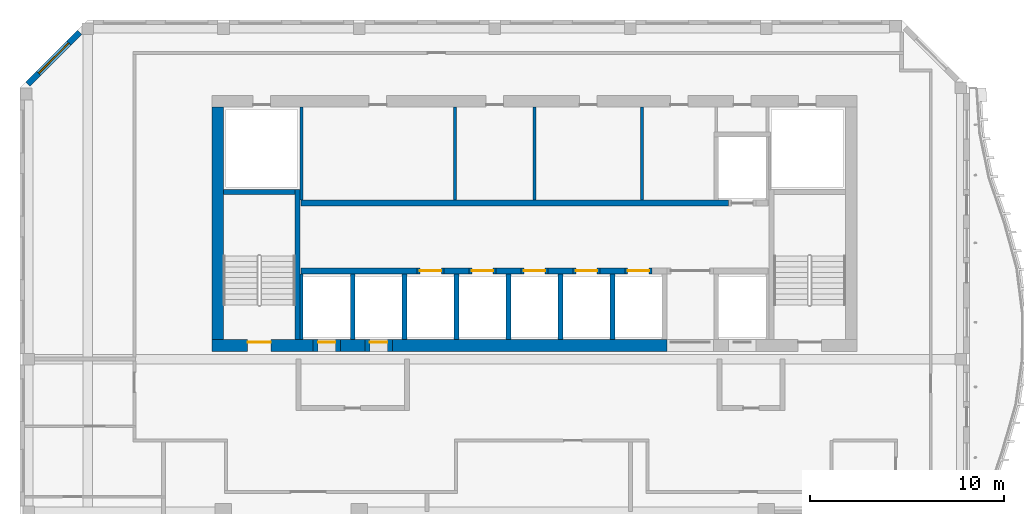
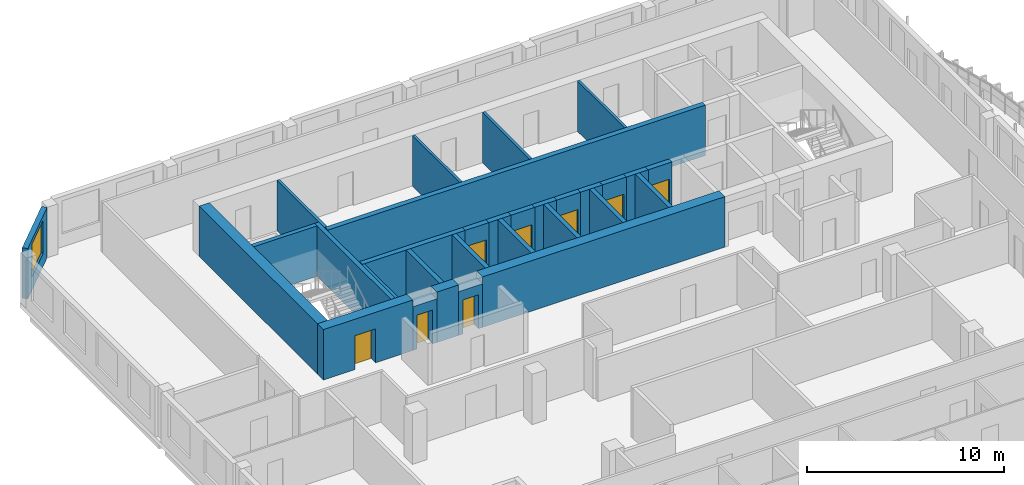
# One storey, part 6 of 17: 31 walls, 8 doors, 1 window, 9 openings.
"""IFC4 building model written with IfcOpenShell, lengths in metres."""

import ifcopenshell
import ifcopenshell.guid

model = None  # the IFC model being written
_history = None  # IfcOwnerHistory: only IFC2X3 demands one
_inside = {}  # id of a spatial element -> (the spatial element, [elements in it])
_under = {}  # id of a project, library or spatial element -> (it, [spatial elements below it])
_declared = {}  # id of a project -> (the project, [libraries it declares])
_typed = {}  # id of a type object -> (the type object, [elements of that type])
_made_of = {}  # id of a material, layer set ... -> (it, [elements and type objects made of it])


def new_model(schema):
    """Start an empty IFC model of exactly this schema.

    Asked for "IFC4X3", IfcOpenShell would pick the latest addendum, in which some entities
    have other attributes; the version numbers below select the first issue.
    IFC2X3 requires an IfcOwnerHistory on every rooted entity: one is made here for all.
    """
    global model, _history
    if schema == "IFC4X3":
        model = ifcopenshell.file(schema_version=(4, 3, 0, 0))
    else:
        model = ifcopenshell.file(schema=schema)
    _inside.clear()
    _under.clear()
    _declared.clear()
    _typed.clear()
    _made_of.clear()
    _history = None
    if model.schema == "IFC2X3":
        org = make("IfcOrganization", Name="unknown")
        user = make(
            "IfcPersonAndOrganization",
            ThePerson=make("IfcPerson", FamilyName="unknown"),
            TheOrganization=org,
        )
        app = make(
            "IfcApplication",
            ApplicationDeveloper=org,
            Version="unknown",
            ApplicationFullName="unknown",
            ApplicationIdentifier="unknown",
        )
        _history = make(
            "IfcOwnerHistory",
            OwningUser=user,
            OwningApplication=app,
            ChangeAction="ADDED",
            CreationDate=0,
        )
    return model


def make(cls, **values):
    """One entity of the class cls with the attributes given. An attribute that is None is left unset."""
    return model.create_entity(
        cls, **{name: value for name, value in values.items() if value is not None}
    )


def rooted(cls, **values):
    """An entity with a GlobalId (a new one), such as an element, a storey or a relation."""
    return make(cls, GlobalId=ifcopenshell.guid.new(), OwnerHistory=_history, **values)


def si_unit(unit_type, name, prefix=None):
    """IfcSIUnit, for example si_unit("LENGTHUNIT", "METRE", prefix="MILLI")."""
    return make("IfcSIUnit", UnitType=unit_type, Prefix=prefix, Name=name)


def assignment(units):
    """IfcUnitAssignment: the units of a project."""
    return None if units is None else make("IfcUnitAssignment", Units=units)


def point(xyz):
    """IfcCartesianPoint."""
    return None if xyz is None else make("IfcCartesianPoint", Coordinates=xyz)


def direction(xyz):
    """IfcDirection."""
    return None if xyz is None else make("IfcDirection", DirectionRatios=xyz)


def frame(location, z_axis=None, x_axis=None):
    """IfcAxis2Placement3D, a coordinate frame: its origin and axes. An axis left out is left unset."""
    return make(
        "IfcAxis2Placement3D",
        Location=point(location),
        Axis=direction(z_axis),
        RefDirection=direction(x_axis),
    )


def frame_2d(location, x_axis=None):
    """IfcAxis2Placement2D, a coordinate frame in the plane: its origin and x axis."""
    return make(
        "IfcAxis2Placement2D", Location=point(location), RefDirection=direction(x_axis)
    )


def origin():
    """The frame at (0, 0, 0) with its axes left unset."""
    return frame((0.0, 0.0, 0.0))


def place(relative_to, where):
    """IfcLocalPlacement: puts the frame where relative to a parent placement (None: the world)."""
    return make(
        "IfcLocalPlacement", PlacementRelTo=relative_to, RelativePlacement=where
    )


def context(
    kind, dimensions, precision=None, world=None, true_north=None, identifier=None
):
    """IfcGeometricRepresentationContext, for example the 3D "Model" context."""
    return make(
        "IfcGeometricRepresentationContext",
        ContextIdentifier=identifier,
        ContextType=kind,
        CoordinateSpaceDimension=dimensions,
        Precision=precision,
        WorldCoordinateSystem=world,
        TrueNorth=true_north,
    )


def subcontext(parent, identifier, kind, view, scale=None):
    """IfcGeometricRepresentationSubContext, for example "Body" below "Model"."""
    return make(
        "IfcGeometricRepresentationSubContext",
        ContextIdentifier=identifier,
        ContextType=kind,
        ParentContext=parent,
        TargetScale=scale,
        TargetView=view,
    )


def project(units=None, contexts=None):
    """IfcProject with its units and contexts."""
    return rooted(
        "IfcProject",
        Name="project",
        RepresentationContexts=contexts,
        UnitsInContext=assignment(units),
    )


def spatial(cls, under=None, at=None, **own):
    """A site, building, storey or space (cls), placed at a placement, below another one or the project."""
    s = rooted(cls, ObjectPlacement=at, **own)
    if under is not None:
        _under.setdefault(under.id(), (under, []))[1].append(s)
    return s


def profile(cls, at=None, kind="AREA", **sizes):
    """A parametric profile (cls). Its sizes go by their IFC names, for example OverallWidth=200.0."""
    return make(cls, ProfileType=kind, Position=at, **sizes)


def rectangle(**sizes):
    """IfcRectangleProfileDef."""
    return profile("IfcRectangleProfileDef", **sizes)


def extrude(swept, where, along, depth):
    """IfcExtrudedAreaSolid: the profile swept, set in the frame where, extruded along a direction by depth."""
    return make(
        "IfcExtrudedAreaSolid",
        SweptArea=swept,
        Position=where,
        ExtrudedDirection=direction(along),
        Depth=depth,
    )


def shape(context_of_items, identifier, shape_type, items):
    """IfcShapeRepresentation: the items that make up one representation, for example the "Body"."""
    return make(
        "IfcShapeRepresentation",
        ContextOfItems=context_of_items,
        RepresentationIdentifier=identifier,
        RepresentationType=shape_type,
        Items=items,
    )


def source(mapping_origin, context_of_items, identifier, shape_type, items):
    """IfcRepresentationMap: a shape defined once, which mapped items show again and again."""
    return make(
        "IfcRepresentationMap",
        MappingOrigin=mapping_origin,
        MappedRepresentation=shape(context_of_items, identifier, shape_type, items),
    )


def transform(
    local_origin,
    x_axis=None,
    y_axis=None,
    z_axis=None,
    scale=None,
    scale2=None,
    scale3=None,
    uniform=True,
):
    """IfcCartesianTransformationOperator3D, or its non-uniform kind. x_axis, y_axis, z_axis: its Axis1, 2, 3."""
    if uniform:
        return make(
            "IfcCartesianTransformationOperator3D",
            Axis1=direction(x_axis),
            Axis2=direction(y_axis),
            LocalOrigin=point(local_origin),
            Scale=scale,
            Axis3=direction(z_axis),
        )
    return make(
        "IfcCartesianTransformationOperator3DnonUniform",
        Axis1=direction(x_axis),
        Axis2=direction(y_axis),
        LocalOrigin=point(local_origin),
        Scale=scale,
        Axis3=direction(z_axis),
        Scale2=scale2,
        Scale3=scale3,
    )


def mapped(mapping_source, mapping_target):
    """IfcMappedItem: shows the shape of a source again, moved by a transform."""
    return make(
        "IfcMappedItem", MappingSource=mapping_source, MappingTarget=mapping_target
    )


def material(Name=None, Category=None):
    """IfcMaterial."""
    return make("IfcMaterial", Name=Name, Category=Category)


def layer(
    of_material, thickness, ventilated=None, Name=None, Category=None, Priority=None
):
    """IfcMaterialLayer: one layer of a wall or slab, of a material (None: an air gap)."""
    return make(
        "IfcMaterialLayer",
        Material=of_material,
        LayerThickness=thickness,
        IsVentilated=ventilated,
        Name=Name,
        Category=Category,
        Priority=Priority,
    )


def layer_set(layers, Name=None):
    """IfcMaterialLayerSet."""
    return make("IfcMaterialLayerSet", MaterialLayers=layers, LayerSetName=Name)


def made_of(thing, what):
    """Note that an element or type object is made of a material, layer set ...; save() writes the relation."""
    if what is not None:
        _made_of.setdefault(what.id(), (what, []))[1].append(thing)
    return thing


def type_object(cls, material=None, **own):
    """A type object (cls), such as IfcWallType, which elements share."""
    return made_of(rooted(cls, **own), material)


def element(
    cls,
    number,
    at=None,
    inside=None,
    cuts=None,
    type_object=None,
    material=None,
    context=None,
    identifier="Body",
    shape_type=None,
    held_by="IfcProductDefinitionShape",
    body=None,
    shapes=None,
    **own,
):
    """One element of the class cls, such as IfcWall. Its Tag is "e" and its number.

    at: its placement. inside: the storey or other place that contains it. cuts: it is an
    opening in that element (IfcRelVoidsElement). A single representation is given by context,
    identifier, shape_type and body (its items); several are given by shapes. held_by: the class
    of the entity that holds the representations. save() writes the other relations.
    """
    e = rooted(cls, Tag="e%d" % number, ObjectPlacement=at, **own)
    if body is not None:
        shapes = [shape(context, identifier, shape_type, body)]
    if shapes is not None:
        e.Representation = make(held_by, Representations=shapes)
    if inside is not None:
        _inside.setdefault(inside.id(), (inside, []))[1].append(e)
    if cuts is not None:
        rooted(
            "IfcRelVoidsElement", RelatingBuildingElement=cuts, RelatedOpeningElement=e
        )
    if type_object is not None:
        _typed.setdefault(type_object.id(), (type_object, []))[1].append(e)
    return made_of(e, material)


def fill(opening, filler):
    """IfcRelFillsElement: the door or window that sits in an opening."""
    return rooted(
        "IfcRelFillsElement",
        RelatingOpeningElement=opening,
        RelatedBuildingElement=filler,
    )


def aggregate(whole, parts):
    """IfcRelAggregates: a whole, such as a stair, and the parts it consists of."""
    return rooted("IfcRelAggregates", RelatingObject=whole, RelatedObjects=parts)


def save(model, path):
    """Write the relations noted so far, then the file.

    IfcRelAggregates (storeys below a building ...), IfcRelContainedInSpatialStructure (elements
    in a storey), IfcRelDefinesByType, IfcRelAssociatesMaterial and IfcRelDeclares: one each for
    every whole, place, type object, material and project.
    """
    for whole, parts in _under.values():
        aggregate(whole, parts)
    for where, things in _inside.values():
        rooted(
            "IfcRelContainedInSpatialStructure",
            RelatedElements=things,
            RelatingStructure=where,
        )
    for kind, things in _typed.values():
        rooted("IfcRelDefinesByType", RelatedObjects=things, RelatingType=kind)
    for what, things in _made_of.values():
        rooted("IfcRelAssociatesMaterial", RelatedObjects=things, RelatingMaterial=what)
    for by, libraries in _declared.values():
        rooted("IfcRelDeclares", RelatingContext=by, RelatedDefinitions=libraries)
    model.write(path)


model = new_model("IFC4")

# Units and contexts
model_context = context("Model", 3, precision=1e-05, world=origin(), true_north=direction((0.0, 1.0)))
body_context = subcontext(model_context, "Body", "Model", "MODEL_VIEW")
ifc_project = project(units=[si_unit("LENGTHUNIT", "METRE"), si_unit("AREAUNIT", "SQUARE_METRE"), si_unit("VOLUMEUNIT", "CUBIC_METRE"), si_unit("PLANEANGLEUNIT", "RADIAN"), si_unit("MASSUNIT", "GRAM", prefix="KILO")], contexts=[model_context])

# Site, building, storey
site_placement = place(None, origin())
site = spatial("IfcSite", under=ifc_project, at=site_placement, CompositionType="ELEMENT")
building_placement = place(site_placement, origin())
building = spatial("IfcBuilding", under=site, at=building_placement, Name="Kilnfold Tower and Market Hall", CompositionType="ELEMENT")
storey_placement = place(building_placement, frame((0.0, 0.0, 301.800048828125)))
storey = spatial("IfcBuildingStorey", under=building, at=storey_placement, Name="L75", CompositionType="ELEMENT", Elevation=301.800048828125)

# Walls
ifc_material_1 = material(Name="Concrete C50", Category="concrete")
ifc_layer_1 = layer(ifc_material_1, 0.25)
ifc_layer_set_1 = layer_set([ifc_layer_1], Name="Concrete C50")
wall_type_1 = type_object("IfcWallType", Name="CORE WALL 250 C50", PredefinedType="SHEAR", material=ifc_layer_set_1)
shared_shape_1 = source(origin(), body_context, "Body", "SweptSolid", [
    extrude(rectangle(XDim=7.75, YDim=0.25, at=frame_2d((3.875, 0.0))), origin(), (0.0, 0.0, 1.0), 3.119873046875),
])
wall_1_placement = place(storey_placement, frame((-11.175048828125, 9.0, 0.0), z_axis=(0.0, 0.0, 1.0), x_axis=(0.0, 1.0, 0.0)))
element("IfcWall", 1, at=wall_1_placement, inside=storey, type_object=wall_type_1, Name="Stair enclosure ST1", PredefinedType="SHEAR", context=body_context, shape_type="MappedRepresentation", body=[
    mapped(shared_shape_1, transform((0.0, 0.0, 0.0))),
])
shared_shape_2 = source(origin(), body_context, "Body", "SweptSolid", [
    extrude(rectangle(XDim=3.699951171875, YDim=0.25, at=frame_2d((1.85009765625, 0.0))), origin(), (0.0, 0.0, 1.0), 3.119873046875),
])
wall_2_placement = place(storey_placement, frame((-15.0, 16.625, 0.0), z_axis=(0.0, 0.0, 1.0), x_axis=(1.0, 0.0, 0.0)))
element("IfcWall", 2, at=wall_2_placement, inside=storey, type_object=wall_type_1, Name="Stair enclosure ST1", PredefinedType="SHEAR", context=body_context, shape_type="MappedRepresentation", body=[
    mapped(shared_shape_2, transform((0.0, 0.0, 0.0))),
])
ifc_material_2 = material(Name="Concrete C50", Category="concrete")
ifc_layer_2 = layer(ifc_material_2, 0.300048828125)
ifc_layer_set_2 = layer_set([ifc_layer_2], Name="Concrete C50")
wall_type_2 = type_object("IfcWallType", Name="CORE WALL 300 C50", PredefinedType="SHEAR", material=ifc_layer_set_2)
shared_shape_3 = source(origin(), body_context, "Body", "SweptSolid", [
    extrude(rectangle(XDim=6.0, YDim=0.300048828125, at=frame_2d((3.0, 0.0))), origin(), (0.0, 0.0, 1.0), 3.119873046875),
])
wall_3_placement = place(storey_placement, frame((-11.010009765625, 12.550048828125, 0.0), z_axis=(0.0, 0.0, 1.0), x_axis=(1.0, 0.0, 0.0)))
element("IfcWall", 3, at=wall_3_placement, inside=storey, type_object=wall_type_2, Name="Core spine wall", PredefinedType="SHEAR", context=body_context, shape_type="MappedRepresentation", body=[
    mapped(shared_shape_3, transform((0.0, 0.0, 0.0))),
])
shared_shape_4 = source(origin(), body_context, "Body", "SweptSolid", [
    extrude(rectangle(XDim=1.280029296875, YDim=0.300048828125, at=frame_2d((0.64013671875, 0.0))), origin(), (0.0, 0.0, 1.0), 3.119873046875),
])
for number, where, z_axis, x_axis, name in (
    (4, (-3.610107421875, 12.550048828125, 0.0), (0.0, 0.0, 1.0), (1.0, 0.0, 0.0), "Core spine wall"),
    (5, (-0.929931640625, 12.550048828125, 0.0), (0.0, 0.0, 1.0), (1.0, 0.0, 0.0), "Core spine wall"),
    (6, (1.75, 12.550048828125, 0.0), (0.0, 0.0, 1.0), (1.0, 0.0, 0.0), "Core spine wall"),
    (7, (4.429931640625, 12.550048828125, 0.0), (0.0, 0.0, 1.0), (1.0, 0.0, 0.0), "Core spine wall"),
):
    element("IfcWall", number, at=place(storey_placement, frame(where, z_axis=z_axis, x_axis=x_axis)), inside=storey, type_object=wall_type_2, Name=name, PredefinedType="SHEAR", context=body_context, shape_type="MappedRepresentation", body=[
        mapped(shared_shape_4, transform((0.0, 0.0, 0.0))),
    ])
shared_shape_5 = source(origin(), body_context, "Body", "SweptSolid", [
    extrude(rectangle(XDim=22.080078125, YDim=0.300048828125, at=frame_2d((11.0400390625, 0.0))), origin(), (0.0, 0.0, 1.0), 3.119873046875),
])
wall_4_placement = place(storey_placement, frame((-11.010009765625, 16.050048828125, 0.0), z_axis=(0.0, 0.0, 1.0), x_axis=(1.0, 0.0, 0.0)))
element("IfcWall", 8, at=wall_4_placement, inside=storey, type_object=wall_type_2, Name="Core spine wall", PredefinedType="SHEAR", context=body_context, shape_type="MappedRepresentation", body=[
    mapped(shared_shape_5, transform((0.0, 0.0, 0.0))),
])

# Wall, opening, door
ifc_material_3 = material(Name="Concrete C50", Category="concrete")
ifc_layer_3 = layer(ifc_material_3, 0.60009765625)
ifc_layer_set_3 = layer_set([ifc_layer_3], Name="Concrete C50")
wall_type_3 = type_object("IfcWallType", Name="CORE WALL 600 C50", PredefinedType="SHEAR", material=ifc_layer_set_3)
shared_shape_6 = source(origin(), body_context, "Body", "SweptSolid", [
    extrude(rectangle(XDim=5.22998046875, YDim=0.60009765625, at=frame_2d((2.614990234375, 0.0))), origin(), (0.0, 0.0, 1.0), 3.119873046875),
])
wall_5_placement = place(storey_placement, frame((-15.60009765625, 8.699951171875, 0.0), z_axis=(0.0, 0.0, 1.0), x_axis=(1.0, 0.0, 0.0)))
wall_5 = element("IfcWall", 9, at=wall_5_placement, inside=storey, type_object=wall_type_3, Name="Core outer wall south", PredefinedType="SHEAR", context=body_context, shape_type="MappedRepresentation", body=[
    mapped(shared_shape_6, transform((0.0, 0.0, 0.0))),
])
opening_1_placement = place(wall_5_placement, frame((1.85009765625, 0.0, 0.0)))
opening_1 = element("IfcOpeningElement", 10, at=opening_1_placement, cuts=wall_5, Name="Opening SD1", PredefinedType="OPENING", context=body_context, shape_type="SweptSolid", body=[
    extrude(rectangle(XDim=1.199951171875, YDim=2.10009765625, at=frame_2d((0.60009765625, 1.050048828125))), frame((0.0, 0.31005859375, 0.0), z_axis=(0.0, -1.0, 0.0), x_axis=(1.0, 0.0, 0.0)), (0.0, 0.0, 1.0), 0.6201171875),
])
ifc_material_4 = material(Name="Steel door set with fire-resisting leaf", Category="steel")
door_type_1 = type_object("IfcDoorType", Name="STAIR FLOOR DOOR 1200X2100", OperationType="NOTDEFINED", PredefinedType="DOOR", material=ifc_material_4)
door_1_placement = place(opening_1_placement, origin())
door_1 = element("IfcDoor", 11, at=door_1_placement, inside=storey, type_object=door_type_1, Name="Exit stair ST1 door", OperationType="DOUBLE_DOOR_SINGLE_SWING", OverallHeight=2.10009765625, OverallWidth=1.199951171875, PredefinedType="DOOR", context=body_context, shape_type="SweptSolid", body=[
    extrude(rectangle(XDim=1.199951171875, YDim=2.10009765625, at=frame_2d((0.60009765625, 1.050048828125))), frame((0.0, 0.205078125, 0.0), z_axis=(0.0, -1.0, 0.0), x_axis=(1.0, 0.0, 0.0)), (0.0, 0.0, 1.0), 0.050048828125),
])
fill(opening_1, door_1)

# Walls
shared_shape_7 = source(origin(), body_context, "Body", "SweptSolid", [
    extrude(rectangle(XDim=1.280029296875, YDim=0.60009765625, at=frame_2d((0.64013671875, 0.0))), origin(), (0.0, 0.0, 1.0), 3.119873046875),
])
wall_6_placement = place(storey_placement, frame((-8.969970703125, 8.699951171875, 0.0), z_axis=(0.0, 0.0, 1.0), x_axis=(1.0, 0.0, 0.0)))
element("IfcWall", 12, at=wall_6_placement, inside=storey, type_object=wall_type_3, Name="Core outer wall south", PredefinedType="SHEAR", context=body_context, shape_type="MappedRepresentation", body=[
    mapped(shared_shape_7, transform((0.0, 0.0, 0.0))),
])
shared_shape_8 = source(origin(), body_context, "Body", "SweptSolid", [
    extrude(rectangle(XDim=14.179931640625, YDim=0.60009765625, at=frame_2d((7.08984375, 0.0))), origin(), (0.0, 0.0, 1.0), 3.119873046875),
])
wall_7_placement = place(storey_placement, frame((-6.2900390625, 8.699951171875, 0.0), z_axis=(0.0, 0.0, 1.0), x_axis=(1.0, 0.0, 0.0)))
element("IfcWall", 13, at=wall_7_placement, inside=storey, type_object=wall_type_3, Name="Core outer wall south", PredefinedType="SHEAR", context=body_context, shape_type="MappedRepresentation", body=[
    mapped(shared_shape_8, transform((0.0, 0.0, 0.0))),
])
shared_shape_9 = source(origin(), body_context, "Body", "SweptSolid", [
    extrude(rectangle(XDim=12.0, YDim=0.60009765625, at=frame_2d((6.0, 0.0))), origin(), (0.0, 0.0, 1.0), 3.119873046875),
])
wall_8_placement = place(storey_placement, frame((-15.300048828125, 9.0, 0.0), z_axis=(0.0, 0.0, 1.0), x_axis=(0.0, 1.0, 0.0)))
element("IfcWall", 14, at=wall_8_placement, inside=storey, type_object=wall_type_3, Name="Core outer wall west", PredefinedType="SHEAR", context=body_context, shape_type="MappedRepresentation", body=[
    mapped(shared_shape_9, transform((0.0, 0.0, 0.0))),
])

# Wall, opening, window
ifc_material_5 = material(Name="Precast concrete C50/60", Category="concrete")
ifc_layer_4 = layer(ifc_material_5, 0.300048828125)
ifc_layer_set_4 = layer_set([ifc_layer_4], Name="Precast concrete C50/60")
wall_type_4 = type_object("IfcWallType", Name="PRECAST WALL 300", PredefinedType="SOLIDWALL", material=ifc_layer_set_4)
shared_shape_10 = source(origin(), body_context, "Body", "SweptSolid", [
    extrude(rectangle(XDim=3.783203125, YDim=0.300048828125, at=frame_2d((1.8916015625, 0.0))), origin(), (0.0, 0.0, 1.0), 3.119873046875),
])
wall_9_placement = place(storey_placement, frame((-22.4189453125, 24.868896484375, 0.0), z_axis=(0.0, 0.0, 1.0), x_axis=(-0.707106781187, -0.707106781187, 0.0)))
wall_9 = element("IfcWall", 15, at=wall_9_placement, inside=storey, type_object=wall_type_4, Name="External wall L75 NW", PredefinedType="SOLIDWALL", context=body_context, shape_type="MappedRepresentation", body=[
    mapped(shared_shape_10, transform((0.0, 0.0, 0.0))),
])
opening_2_placement = place(wall_9_placement, frame((0.79150390625, 0.0, 0.800048828125)))
opening_2 = element("IfcOpeningElement", 16, at=opening_2_placement, cuts=wall_9, Name="Opening W3", PredefinedType="OPENING", context=body_context, shape_type="SweptSolid", body=[
    extrude(rectangle(XDim=2.199951171875, YDim=2.050048828125, at=frame_2d((1.10009765625, 1.02490234375))), frame((0.0, 0.16015625, 0.0), z_axis=(0.0, -1.0, 0.0), x_axis=(1.0, 0.0, 0.0)), (0.0, 0.0, 1.0), 0.320068359375),
])
ifc_material_6 = material(Name="Aluminium frame and double glazing", Category="aluminium")
window_type = type_object("IfcWindowType", Name="WINDOW W3 2200X2050", PartitioningType="SINGLE_PANEL", PredefinedType="WINDOW", material=ifc_material_6)
window_placement = place(opening_2_placement, origin())
window = element("IfcWindow", 17, at=window_placement, inside=storey, type_object=window_type, Name="Window W3 L75 NW-1", OverallHeight=2.050048828125, OverallWidth=2.199951171875, PartitioningType="SINGLE_PANEL", PredefinedType="WINDOW", context=body_context, shape_type="SweptSolid", body=[
    extrude(rectangle(XDim=2.199951171875, YDim=2.050048828125, at=frame_2d((1.10009765625, 1.02490234375))), frame((0.0, 0.030029296875, 0.0), z_axis=(0.0, -1.0, 0.0), x_axis=(1.0, 0.0, 0.0)), (0.0, 0.0, 1.0), 0.06005859375),
])
fill(opening_2, window)

# Wall, opening, door
ifc_material_7 = material(Name="Gypsum shaft wall system")
ifc_layer_5 = layer(ifc_material_7, 0.300048828125)
ifc_layer_set_5 = layer_set([ifc_layer_5], Name="Gypsum shaft wall system")
wall_type_5 = type_object("IfcWallType", Name="SHAFT WALL 300", PredefinedType="PARTITIONING", material=ifc_layer_set_5)
shared_shape_11 = source(origin(), body_context, "Body", "SweptSolid", [
    extrude(rectangle(XDim=1.39990234375, YDim=0.300048828125, at=frame_2d((0.699951171875, 0.0))), origin(), (0.0, 0.0, 1.0), 3.119873046875),
])
wall_10_placement = place(storey_placement, frame((-5.010009765625, 12.550048828125, 0.0), z_axis=(0.0, 0.0, 1.0), x_axis=(1.0, 0.0, 0.0)))
wall_10 = element("IfcWall", 18, at=wall_10_placement, inside=storey, type_object=wall_type_5, Name="Lift shaft front wall", PredefinedType="PARTITIONING", context=body_context, shape_type="MappedRepresentation", body=[
    mapped(shared_shape_11, transform((0.0, 0.0, 0.0))),
])
opening_3_placement = place(wall_10_placement, frame((0.14990234375, 0.0, 0.0)))
opening_3 = element("IfcOpeningElement", 19, at=opening_3_placement, cuts=wall_10, Name="Opening LD2", PredefinedType="OPENING", context=body_context, shape_type="SweptSolid", body=[
    extrude(rectangle(XDim=1.10009765625, YDim=2.10009765625, at=frame_2d((0.550048828125, 1.050048828125))), frame((0.0, 0.16015625, 0.0), z_axis=(0.0, -1.0, 0.0), x_axis=(1.0, 0.0, 0.0)), (0.0, 0.0, 1.0), 0.320068359375),
])
ifc_material_8 = material(Name="Steel door set with fire-resisting leaf", Category="steel")
door_type_2 = type_object("IfcDoorType", Name="LANDING DOOR 1100X2100", OperationType="NOTDEFINED", PredefinedType="DOOR", material=ifc_material_8)
door_2_placement = place(opening_3_placement, origin())
door_2 = element("IfcDoor", 20, at=door_2_placement, inside=storey, type_object=door_type_2, Name="Landing door HR1", OperationType="DOUBLE_DOOR_SLIDING", OverallHeight=2.10009765625, OverallWidth=1.10009765625, PredefinedType="DOOR", context=body_context, shape_type="SweptSolid", body=[
    extrude(rectangle(XDim=1.10009765625, YDim=2.10009765625, at=frame_2d((0.550048828125, 1.050048828125))), frame((0.0, 0.02490234375, 0.0), z_axis=(0.0, -1.0, 0.0), x_axis=(1.0, 0.0, 0.0)), (0.0, 0.0, 1.0), 0.050048828125),
])
fill(opening_3, door_2)

wall_11_placement = place(storey_placement, frame((0.35009765625, 12.550048828125, 0.0), z_axis=(0.0, 0.0, 1.0), x_axis=(1.0, 0.0, 0.0)))
wall_11 = element("IfcWall", 21, at=wall_11_placement, inside=storey, type_object=wall_type_5, Name="Lift shaft front wall", PredefinedType="PARTITIONING", context=body_context, shape_type="MappedRepresentation", body=[
    mapped(shared_shape_11, transform((0.0, 0.0, 0.0))),
])
opening_4_placement = place(wall_11_placement, frame((0.14990234375, 0.0, 0.0)))
opening_4 = element("IfcOpeningElement", 22, at=opening_4_placement, cuts=wall_11, Name="Opening LD2", PredefinedType="OPENING", context=body_context, shape_type="SweptSolid", body=[
    extrude(rectangle(XDim=1.10009765625, YDim=2.10009765625, at=frame_2d((0.550048828125, 1.050048828125))), frame((0.0, 0.16015625, 0.0), z_axis=(0.0, -1.0, 0.0), x_axis=(1.0, 0.0, 0.0)), (0.0, 0.0, 1.0), 0.320068359375),
])
door_3_placement = place(opening_4_placement, origin())
door_3 = element("IfcDoor", 23, at=door_3_placement, inside=storey, type_object=door_type_2, Name="Landing door HR3", OperationType="DOUBLE_DOOR_SLIDING", OverallHeight=2.10009765625, OverallWidth=1.10009765625, PredefinedType="DOOR", context=body_context, shape_type="SweptSolid", body=[
    extrude(rectangle(XDim=1.10009765625, YDim=2.10009765625, at=frame_2d((0.550048828125, 1.050048828125))), frame((0.0, 0.02490234375, 0.0), z_axis=(0.0, -1.0, 0.0), x_axis=(1.0, 0.0, 0.0)), (0.0, 0.0, 1.0), 0.050048828125),
])
fill(opening_4, door_3)

wall_12_placement = place(storey_placement, frame((3.030029296875, 12.550048828125, 0.0), z_axis=(0.0, 0.0, 1.0), x_axis=(1.0, 0.0, 0.0)))
wall_12 = element("IfcWall", 24, at=wall_12_placement, inside=storey, type_object=wall_type_5, Name="Lift shaft front wall", PredefinedType="PARTITIONING", context=body_context, shape_type="MappedRepresentation", body=[
    mapped(shared_shape_11, transform((0.0, 0.0, 0.0))),
])
opening_5_placement = place(wall_12_placement, frame((0.14990234375, 0.0, 0.0)))
opening_5 = element("IfcOpeningElement", 25, at=opening_5_placement, cuts=wall_12, Name="Opening LD2", PredefinedType="OPENING", context=body_context, shape_type="SweptSolid", body=[
    extrude(rectangle(XDim=1.10009765625, YDim=2.10009765625, at=frame_2d((0.550048828125, 1.050048828125))), frame((0.0, 0.16015625, 0.0), z_axis=(0.0, -1.0, 0.0), x_axis=(1.0, 0.0, 0.0)), (0.0, 0.0, 1.0), 0.320068359375),
])
door_4_placement = place(opening_5_placement, origin())
door_4 = element("IfcDoor", 26, at=door_4_placement, inside=storey, type_object=door_type_2, Name="Landing door HR4", OperationType="DOUBLE_DOOR_SLIDING", OverallHeight=2.10009765625, OverallWidth=1.10009765625, PredefinedType="DOOR", context=body_context, shape_type="SweptSolid", body=[
    extrude(rectangle(XDim=1.10009765625, YDim=2.10009765625, at=frame_2d((0.550048828125, 1.050048828125))), frame((0.0, 0.02490234375, 0.0), z_axis=(0.0, -1.0, 0.0), x_axis=(1.0, 0.0, 0.0)), (0.0, 0.0, 1.0), 0.050048828125),
])
fill(opening_5, door_4)

shared_shape_12 = source(origin(), body_context, "Body", "SweptSolid", [
    extrude(rectangle(XDim=1.400146484375, YDim=0.300048828125, at=frame_2d((0.7001953125, 0.0))), origin(), (0.0, 0.0, 1.0), 3.119873046875),
])
wall_13_placement = place(storey_placement, frame((-2.330078125, 12.550048828125, 0.0), z_axis=(0.0, 0.0, 1.0), x_axis=(1.0, 0.0, 0.0)))
wall_13 = element("IfcWall", 27, at=wall_13_placement, inside=storey, type_object=wall_type_5, Name="Lift shaft front wall", PredefinedType="PARTITIONING", context=body_context, shape_type="MappedRepresentation", body=[
    mapped(shared_shape_12, transform((0.0, 0.0, 0.0))),
])
opening_6_placement = place(wall_13_placement, frame((0.14990234375, 0.0, 0.0)))
opening_6 = element("IfcOpeningElement", 28, at=opening_6_placement, cuts=wall_13, Name="Opening LD2", PredefinedType="OPENING", context=body_context, shape_type="SweptSolid", body=[
    extrude(rectangle(XDim=1.10009765625, YDim=2.10009765625, at=frame_2d((0.550048828125, 1.050048828125))), frame((0.0, 0.16015625, 0.0), z_axis=(0.0, -1.0, 0.0), x_axis=(1.0, 0.0, 0.0)), (0.0, 0.0, 1.0), 0.320068359375),
])
door_5_placement = place(opening_6_placement, origin())
door_5 = element("IfcDoor", 29, at=door_5_placement, inside=storey, type_object=door_type_2, Name="Landing door HR2", OperationType="DOUBLE_DOOR_SLIDING", OverallHeight=2.10009765625, OverallWidth=1.10009765625, PredefinedType="DOOR", context=body_context, shape_type="SweptSolid", body=[
    extrude(rectangle(XDim=1.10009765625, YDim=2.10009765625, at=frame_2d((0.550048828125, 1.050048828125))), frame((0.0, 0.02490234375, 0.0), z_axis=(0.0, -1.0, 0.0), x_axis=(1.0, 0.0, 0.0)), (0.0, 0.0, 1.0), 0.050048828125),
])
fill(opening_6, door_5)

wall_14_placement = place(storey_placement, frame((5.7099609375, 12.550048828125, 0.0), z_axis=(0.0, 0.0, 1.0), x_axis=(1.0, 0.0, 0.0)))
wall_14 = element("IfcWall", 30, at=wall_14_placement, inside=storey, type_object=wall_type_5, Name="Lift shaft front wall", PredefinedType="PARTITIONING", context=body_context, shape_type="MappedRepresentation", body=[
    mapped(shared_shape_12, transform((0.0, 0.0, 0.0))),
])
opening_7_placement = place(wall_14_placement, frame((0.14990234375, 0.0, 0.0)))
opening_7 = element("IfcOpeningElement", 31, at=opening_7_placement, cuts=wall_14, Name="Opening LD2", PredefinedType="OPENING", context=body_context, shape_type="SweptSolid", body=[
    extrude(rectangle(XDim=1.10009765625, YDim=2.10009765625, at=frame_2d((0.550048828125, 1.050048828125))), frame((0.0, 0.16015625, 0.0), z_axis=(0.0, -1.0, 0.0), x_axis=(1.0, 0.0, 0.0)), (0.0, 0.0, 1.0), 0.320068359375),
])
door_6_placement = place(opening_7_placement, origin())
door_6 = element("IfcDoor", 32, at=door_6_placement, inside=storey, type_object=door_type_2, Name="Landing door HR5", OperationType="DOUBLE_DOOR_SLIDING", OverallHeight=2.10009765625, OverallWidth=1.10009765625, PredefinedType="DOOR", context=body_context, shape_type="SweptSolid", body=[
    extrude(rectangle(XDim=1.10009765625, YDim=2.10009765625, at=frame_2d((0.550048828125, 1.050048828125))), frame((0.0, 0.02490234375, 0.0), z_axis=(0.0, -1.0, 0.0), x_axis=(1.0, 0.0, 0.0)), (0.0, 0.0, 1.0), 0.050048828125),
])
fill(opening_7, door_6)

# Walls
ifc_material_9 = material(Name="Gypsum shaft wall system")
ifc_layer_6 = layer(ifc_material_9, 0.1650390625)
ifc_layer_set_6 = layer_set([ifc_layer_6], Name="Gypsum shaft wall system")
wall_type_6 = type_object("IfcWallType", Name="SHAFT WALL 165", PredefinedType="PARTITIONING", material=ifc_layer_set_6)
shared_shape_13 = source(origin(), body_context, "Body", "SweptSolid", [
    extrude(rectangle(XDim=4.800048828125, YDim=0.1650390625, at=frame_2d((2.39990234375, 0.0))), origin(), (0.0, 0.0, 1.0), 3.119873046875),
])
wall_15_placement = place(storey_placement, frame((-10.967529296875, 16.199951171875, 0.0), z_axis=(0.0, 0.0, 1.0), x_axis=(0.0, 1.0, 0.0)))
element("IfcWall", 33, at=wall_15_placement, inside=storey, type_object=wall_type_6, Name="Lift shaft wall", PredefinedType="PARTITIONING", context=body_context, shape_type="MappedRepresentation", body=[
    mapped(shared_shape_13, transform((0.0, 0.0, 0.0))),
])
ifc_material_10 = material(Name="Gypsum shaft wall system")
ifc_layer_7 = layer(ifc_material_10, 0.25)
ifc_layer_set_7 = layer_set([ifc_layer_7], Name="Gypsum shaft wall system")
wall_type_7 = type_object("IfcWallType", Name="SHAFT WALL 250", PredefinedType="PARTITIONING", material=ifc_layer_set_7)
shared_shape_14 = source(origin(), body_context, "Body", "SweptSolid", [
    extrude(rectangle(XDim=3.39990234375, YDim=0.25, at=frame_2d((1.699951171875, 0.0))), origin(), (0.0, 0.0, 1.0), 3.119873046875),
])
for number, where, z_axis, x_axis, name in (
    (34, (2.389892578125, 9.0, 0.0), (0.0, 0.0, 1.0), (0.0, 1.0, 0.0), "Lift shaft wall"),
    (35, (5.070068359375, 9.0, 0.0), (0.0, 0.0, 1.0), (0.0, 1.0, 0.0), "Lift shaft wall"),
    (36, (-0.2900390625, 9.0, 0.0), (0.0, 0.0, 1.0), (0.0, 1.0, 0.0), "Lift shaft wall"),
    (37, (-2.969970703125, 9.0, 0.0), (0.0, 0.0, 1.0), (0.0, 1.0, 0.0), "Lift shaft wall"),
    (38, (-5.64990234375, 9.0, 0.0), (0.0, 0.0, 1.0), (0.0, 1.0, 0.0), "Lift shaft wall"),
    (39, (-8.330078125, 9.0, 0.0), (0.0, 0.0, 1.0), (0.0, 1.0, 0.0), "Lift shaft wall"),
):
    element("IfcWall", number, at=place(storey_placement, frame(where, z_axis=z_axis, x_axis=x_axis)), inside=storey, type_object=wall_type_7, Name=name, PredefinedType="PARTITIONING", context=body_context, shape_type="MappedRepresentation", body=[
        mapped(shared_shape_14, transform((0.0, 0.0, 0.0))),
    ])
shared_shape_15 = source(origin(), body_context, "Body", "SweptSolid", [
    extrude(rectangle(XDim=3.39990234375, YDim=0.1650390625, at=frame_2d((1.699951171875, 0.0))), origin(), (0.0, 0.0, 1.0), 3.119873046875),
])
wall_16_placement = place(storey_placement, frame((-10.967529296875, 9.0, 0.0), z_axis=(0.0, 0.0, 1.0), x_axis=(0.0, 1.0, 0.0)))
element("IfcWall", 40, at=wall_16_placement, inside=storey, type_object=wall_type_6, Name="Lift shaft wall", PredefinedType="PARTITIONING", context=body_context, shape_type="MappedRepresentation", body=[
    mapped(shared_shape_15, transform((0.0, 0.0, 0.0))),
])
ifc_material_11 = material(Name="Gypsum shaft wall system")
ifc_layer_8 = layer(ifc_material_11, 0.14990234375)
ifc_layer_set_8 = layer_set([ifc_layer_8], Name="Gypsum shaft wall system")
wall_type_8 = type_object("IfcWallType", Name="ROOM WALL 150", PredefinedType="PARTITIONING", material=ifc_layer_set_8)
shared_shape_16 = source(origin(), body_context, "Body", "SweptSolid", [
    extrude(rectangle(XDim=4.800048828125, YDim=0.14990234375, at=frame_2d((2.39990234375, 0.0))), origin(), (0.0, 0.0, 1.0), 3.119873046875),
])
for number, where, z_axis, x_axis, name in (
    (41, (-3.05029296875, 16.199951171875, 0.0), (0.0, 0.0, 1.0), (0.0, 1.0, 0.0), "Core room wall"),
    (42, (1.050048828125, 16.199951171875, 0.0), (0.0, 0.0, 1.0), (0.0, 1.0, 0.0), "Core room wall"),
    (43, (6.59765625, 16.199951171875, 0.0), (0.0, 0.0, 1.0), (0.0, 1.0, 0.0), "Core room wall"),
):
    element("IfcWall", number, at=place(storey_placement, frame(where, z_axis=z_axis, x_axis=x_axis)), inside=storey, type_object=wall_type_8, Name=name, PredefinedType="PARTITIONING", context=body_context, shape_type="MappedRepresentation", body=[
        mapped(shared_shape_16, transform((0.0, 0.0, 0.0))),
    ])

# Wall, opening, door
ifc_material_12 = material(Name="Gypsum shaft wall system")
ifc_layer_9 = layer(ifc_material_12, 0.60009765625)
ifc_layer_set_9 = layer_set([ifc_layer_9], Name="Gypsum shaft wall system")
wall_type_9 = type_object("IfcWallType", Name="LOBBY WALL 600", PredefinedType="PARTITIONING", material=ifc_layer_set_9)
shared_shape_17 = source(origin(), body_context, "Body", "SweptSolid", [
    extrude(rectangle(XDim=1.400146484375, YDim=0.60009765625, at=frame_2d((0.7001953125, 0.0))), origin(), (0.0, 0.0, 1.0), 2.699951171875),
])
wall_17_placement = place(storey_placement, frame((-10.3701171875, 8.699951171875, 0.0), z_axis=(0.0, 0.0, 1.0), x_axis=(1.0, 0.0, 0.0)))
wall_17 = element("IfcWall", 44, at=wall_17_placement, inside=storey, type_object=wall_type_9, Name="Core wall infill", PredefinedType="PARTITIONING", context=body_context, shape_type="MappedRepresentation", body=[
    mapped(shared_shape_17, transform((0.0, 0.0, 0.0))),
])
opening_8_placement = place(wall_17_placement, frame((0.25, 0.0, 0.0)))
opening_8 = element("IfcOpeningElement", 45, at=opening_8_placement, cuts=wall_17, Name="Opening LD1", PredefinedType="OPENING", context=body_context, shape_type="SweptSolid", body=[
    extrude(rectangle(XDim=0.89990234375, YDim=2.10009765625, at=frame_2d((0.449951171875, 1.050048828125))), frame((0.0, 0.31005859375, 0.0), z_axis=(0.0, -1.0, 0.0), x_axis=(1.0, 0.0, 0.0)), (0.0, 0.0, 1.0), 0.6201171875),
])
ifc_material_13 = material(Name="Steel door set with fire-resisting leaf", Category="steel")
door_type_3 = type_object("IfcDoorType", Name="FIREFIGHTING LANDING DOOR 900X2100", OperationType="NOTDEFINED", PredefinedType="DOOR", material=ifc_material_13)
door_7_placement = place(opening_8_placement, origin())
door_7 = element("IfcDoor", 46, at=door_7_placement, inside=storey, type_object=door_type_3, Name="Landing door FF1", OperationType="SLIDING_TO_LEFT", OverallHeight=2.10009765625, OverallWidth=0.89990234375, PredefinedType="DOOR", context=body_context, shape_type="SweptSolid", body=[
    extrude(rectangle(XDim=0.89990234375, YDim=2.10009765625, at=frame_2d((0.449951171875, 1.050048828125))), frame((0.0, 0.205078125, 0.0), z_axis=(0.0, -1.0, 0.0), x_axis=(1.0, 0.0, 0.0)), (0.0, 0.0, 1.0), 0.050048828125),
])
fill(opening_8, door_7)

shared_shape_18 = source(origin(), body_context, "Body", "SweptSolid", [
    extrude(rectangle(XDim=1.39990234375, YDim=0.60009765625, at=frame_2d((0.699951171875, 0.0))), origin(), (0.0, 0.0, 1.0), 2.699951171875),
])
wall_18_placement = place(storey_placement, frame((-7.68994140625, 8.699951171875, 0.0), z_axis=(0.0, 0.0, 1.0), x_axis=(1.0, 0.0, 0.0)))
wall_18 = element("IfcWall", 47, at=wall_18_placement, inside=storey, type_object=wall_type_9, Name="Core wall infill", PredefinedType="PARTITIONING", context=body_context, shape_type="MappedRepresentation", body=[
    mapped(shared_shape_18, transform((0.0, 0.0, 0.0))),
])
opening_9_placement = place(wall_18_placement, frame((0.25, 0.0, 0.0)))
opening_9 = element("IfcOpeningElement", 48, at=opening_9_placement, cuts=wall_18, Name="Opening LD1", PredefinedType="OPENING", context=body_context, shape_type="SweptSolid", body=[
    extrude(rectangle(XDim=0.89990234375, YDim=2.10009765625, at=frame_2d((0.449951171875, 1.050048828125))), frame((0.0, 0.31005859375, 0.0), z_axis=(0.0, -1.0, 0.0), x_axis=(1.0, 0.0, 0.0)), (0.0, 0.0, 1.0), 0.6201171875),
])
door_8_placement = place(opening_9_placement, origin())
door_8 = element("IfcDoor", 49, at=door_8_placement, inside=storey, type_object=door_type_3, Name="Landing door FF2", OperationType="SLIDING_TO_RIGHT", OverallHeight=2.10009765625, OverallWidth=0.89990234375, PredefinedType="DOOR", context=body_context, shape_type="SweptSolid", body=[
    extrude(rectangle(XDim=0.89990234375, YDim=2.10009765625, at=frame_2d((0.449951171875, 1.050048828125))), frame((0.0, 0.205078125, 0.0), z_axis=(0.0, -1.0, 0.0), x_axis=(1.0, 0.0, 0.0)), (0.0, 0.0, 1.0), 0.050048828125),
])
fill(opening_9, door_8)

save(model, "model.ifc")
